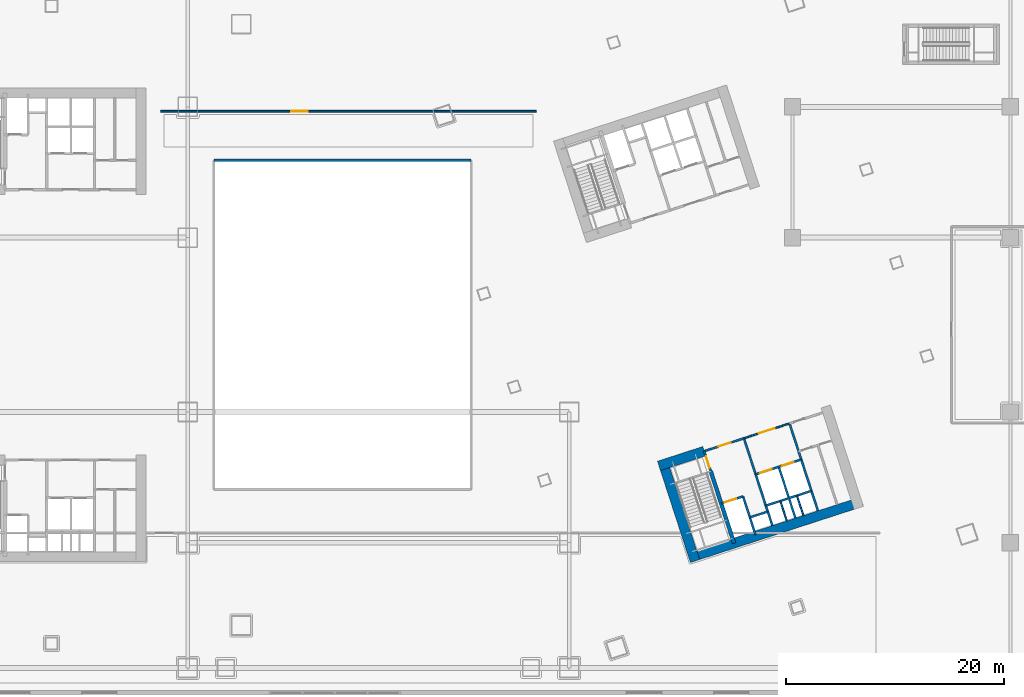
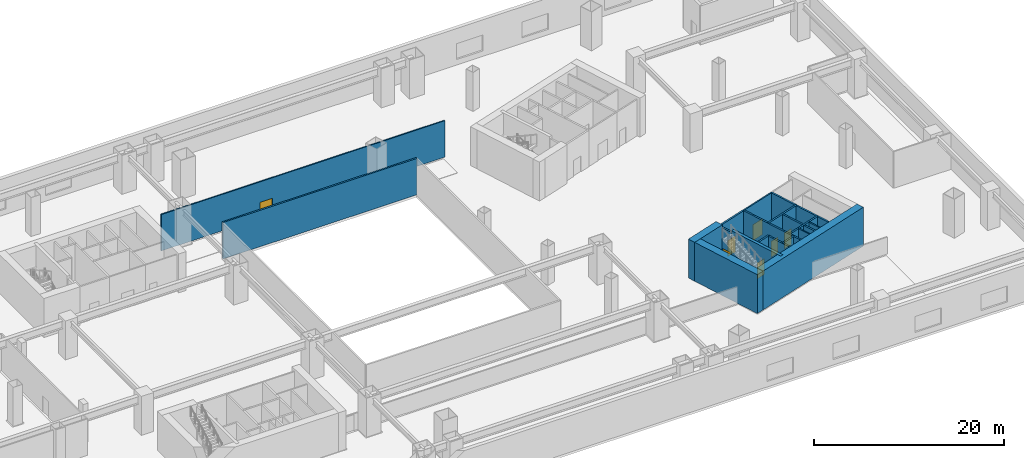
# One storey, part 26 of 35: 19 walls, 7 doors, 7 openings.
"""IFC4 building model written with IfcOpenShell, lengths in metres."""

from ifc_helpers import new_model, si_unit, direction, frame, frame_2d, origin, place, context, subcontext, project, spatial, rectangle, extrude, material, layer, layer_set, type_object, element, fill, save


model = new_model("IFC4")

# Units and contexts
model_context = context("Model", 3, precision=1e-05, world=origin(), true_north=direction((0.0, 1.0)))
body_context = subcontext(model_context, "Body", "Model", "MODEL_VIEW")
ifc_project = project(units=[si_unit("LENGTHUNIT", "METRE"), si_unit("AREAUNIT", "SQUARE_METRE"), si_unit("VOLUMEUNIT", "CUBIC_METRE"), si_unit("PLANEANGLEUNIT", "RADIAN"), si_unit("MASSUNIT", "GRAM", prefix="KILO")], contexts=[model_context])

# Site, building, storey
site_placement = place(None, origin())
site = spatial("IfcSite", under=ifc_project, at=site_placement, CompositionType="ELEMENT")
building_placement = place(site_placement, origin())
building = spatial("IfcBuilding", under=site, at=building_placement, Name="Qiaolan Cultural Towers", CompositionType="ELEMENT")
storey_placement = place(building_placement, frame((0.0, 0.0, 11.5)))
storey = spatial("IfcBuildingStorey", under=building, at=storey_placement, Name="L02", CompositionType="ELEMENT", Elevation=11.5)

# Walls
ifc_material_1 = material(Name="Concrete C50", Category="concrete")
ifc_layer_1 = layer(ifc_material_1, 0.35009765625)
ifc_layer_set_1 = layer_set([ifc_layer_1], Name="Concrete C50")
wall_type_1 = type_object("IfcWallType", Name="WL-CORE-350", PredefinedType="SHEAR", material=ifc_layer_set_1)
wall_1_placement = place(storey_placement, frame((90.486328125, 20.59423828125, 0.0), z_axis=(0.0, 0.0, 1.0), x_axis=(0.309020428229, -0.951055400562, 0.0)))
element("IfcWall", 1, at=wall_1_placement, inside=storey, type_object=wall_type_1, Name="L02 T2-CS Stair Core Dividing Web", PredefinedType="SHEAR", context=body_context, shape_type="SweptSolid", body=[
    extrude(rectangle(XDim=6.97998046875, YDim=0.35009765625, at=frame_2d((3.489990234375, 0.0))), origin(), (0.0, 0.0, 1.0), 5.0),
])
ifc_material_2 = material(Name="Concrete C60", Category="concrete")
ifc_layer_2 = layer(ifc_material_2, 0.89990234375)
ifc_layer_set_2 = layer_set([ifc_layer_2], Name="Concrete C60")
wall_type_2 = type_object("IfcWallType", Name="WL-CORE-900", PredefinedType="SHEAR", material=ifc_layer_set_2)
wall_2_placement = place(storey_placement, frame((88.4873046875, 12.60546875, 0.0), z_axis=(0.0, 0.0, 1.0), x_axis=(0.951055016115, 0.309021611416, 0.0)))
element("IfcWall", 2, at=wall_2_placement, inside=storey, type_object=wall_type_2, Name="L02 T2-CS Outer Core Shear Wall", PredefinedType="SHEAR", context=body_context, shape_type="SweptSolid", body=[
    extrude(rectangle(XDim=16.699951171875, YDim=0.89990234375, at=frame_2d((8.35009765625, 0.0))), origin(), (0.0, 0.0, 1.0), 5.0),
])
wall_3_placement = place(storey_placement, frame((86.031982421875, 21.617919921875, 0.0), z_axis=(0.0, 0.0, 1.0), x_axis=(0.30901438634, -0.951057363693, 0.0)))
element("IfcWall", 3, at=wall_3_placement, inside=storey, type_object=wall_type_2, Name="L02 T2-CS West Core Shear Wall", PredefinedType="SHEAR", context=body_context, shape_type="SweptSolid", body=[
    extrude(rectangle(XDim=9.7802734375, YDim=0.89990234375, at=frame_2d((4.89013671875, 0.0))), origin(), (0.0, 0.0, 1.0), 5.0),
])
wall_4_placement = place(storey_placement, frame((85.7431640625, 21.05078125, 0.0), z_axis=(0.0, 0.0, 1.0), x_axis=(0.951063623806, 0.308995118848, 0.0)))
element("IfcWall", 4, at=wall_4_placement, inside=storey, type_object=wall_type_2, Name="L02 T2-CS Stair Front Shear Wall", PredefinedType="SHEAR", context=body_context, shape_type="SweptSolid", body=[
    extrude(rectangle(XDim=4.3701171875, YDim=0.89990234375, at=frame_2d((2.18505859375, 0.0))), origin(), (0.0, 0.0, 1.0), 5.0),
])

# Wall, opening, door
ifc_material_3 = material(Name="Concrete C35 Fire Wall", Category="concrete")
ifc_layer_3 = layer(ifc_material_3, 0.199951171875)
ifc_layer_set_3 = layer_set([ifc_layer_3], Name="Concrete C35 Fire Wall")
wall_type_3 = type_object("IfcWallType", Name="WL-FIRE-200", PredefinedType="PARTITIONING", material=ifc_layer_set_3)
wall_5_placement = place(storey_placement, frame((89.8994140625, 22.401123046875, 0.0), z_axis=(0.0, 0.0, 1.0), x_axis=(0.308932062672, -0.951084108086, 0.0)))
wall_5 = element("IfcWall", 5, at=wall_5_placement, inside=storey, type_object=wall_type_3, Name="L02 T2-CS Smokeproof Stair Entry Wall", PredefinedType="PARTITIONING", context=body_context, shape_type="SweptSolid", body=[
    extrude(rectangle(XDim=1.89990234375, YDim=0.199951171875, at=frame_2d((0.949951171875, 0.0))), origin(), (0.0, 0.0, 1.0), 4.68505859375),
])
opening_1_placement = place(wall_5_placement, frame((0.52001953125, 0.0, 0.0)))
opening_1 = element("IfcOpeningElement", 6, at=opening_1_placement, cuts=wall_5, Name="Opening FD-04", PredefinedType="OPENING", context=body_context, shape_type="SweptSolid", body=[
    extrude(rectangle(XDim=1.10009765625, YDim=2.050048828125, at=frame_2d((0.550048828125, 1.02490234375))), frame((0.0, 0.10986328125, 0.0), z_axis=(0.0, -1.0, 0.0), x_axis=(1.0, 0.0, 0.0)), (0.0, 0.0, 1.0), 0.219970703125),
])
ifc_material_4 = material(Name="Galvanized Steel Command Fire Door", Category="steel")
door_type_1 = type_object("IfcDoorType", Name="DR-FD90-1100", OperationType="NOTDEFINED", PredefinedType="DOOR", material=ifc_material_4)
door_1_placement = place(opening_1_placement, origin())
door_1 = element("IfcDoor", 7, at=door_1_placement, inside=storey, type_object=door_type_1, Name="L02 ST-E1 Smokeproof Stair Fire Door", OperationType="SINGLE_SWING_LEFT", OverallHeight=2.050048828125, OverallWidth=1.10009765625, PredefinedType="DOOR", context=body_context, shape_type="SweptSolid", body=[
    extrude(rectangle(XDim=1.10009765625, YDim=2.050048828125, at=frame_2d((0.550048828125, 1.02490234375))), frame((0.0, 0.02490234375, 0.0), z_axis=(0.0, -1.0, 0.0), x_axis=(1.0, 0.0, 0.0)), (0.0, 0.0, 1.0), 0.050048828125),
])
fill(opening_1, door_1)

# Wall
wall_6_placement = place(storey_placement, frame((93.541748046875, 23.584716796875, 0.0), z_axis=(0.0, 0.0, 1.0), x_axis=(0.309042196757, -0.951048327176, 0.0)))
element("IfcWall", 8, at=wall_6_placement, inside=storey, type_object=wall_type_3, Name="L02 T2-CS Firefighting Zone Wall", PredefinedType="PARTITIONING", context=body_context, shape_type="SweptSolid", body=[
    extrude(rectangle(XDim=8.429931640625, YDim=0.199951171875, at=frame_2d((4.21484375, 0.0))), origin(), (0.0, 0.0, 1.0), 4.68505859375),
])

# Wall, opening, door
wall_7_placement = place(storey_placement, frame((89.8994140625, 22.401123046875, 0.0), z_axis=(0.0, 0.0, 1.0), x_axis=(0.951046716504, 0.309047153403, 0.0)))
wall_7 = element("IfcWall", 9, at=wall_7_placement, inside=storey, type_object=wall_type_3, Name="L02 T2-CS Firefighting Lobby Front Wall", PredefinedType="PARTITIONING", context=body_context, shape_type="SweptSolid", body=[
    extrude(rectangle(XDim=3.829833984375, YDim=0.199951171875, at=frame_2d((1.9150390625, 0.0))), origin(), (0.0, 0.0, 1.0), 4.68505859375),
])
opening_2_placement = place(wall_7_placement, frame((1.35009765625, 0.0, 0.0)))
opening_2 = element("IfcOpeningElement", 10, at=opening_2_placement, cuts=wall_7, Name="Opening FD-03", PredefinedType="OPENING", context=body_context, shape_type="SweptSolid", body=[
    extrude(rectangle(XDim=1.199951171875, YDim=2.050048828125, at=frame_2d((0.60009765625, 1.02490234375))), frame((0.0, 0.10986328125, 0.0), z_axis=(0.0, -1.0, 0.0), x_axis=(1.0, 0.0, 0.0)), (0.0, 0.0, 1.0), 0.219970703125),
])
ifc_material_5 = material(Name="Galvanized Steel Smokeproof Lobby Fire Door", Category="steel")
door_type_2 = type_object("IfcDoorType", Name="DR-FD90-1200", OperationType="NOTDEFINED", PredefinedType="DOOR", material=ifc_material_5)
door_2_placement = place(opening_2_placement, origin())
door_2 = element("IfcDoor", 11, at=door_2_placement, inside=storey, type_object=door_type_2, Name="L02 FFL-E1 Firefighting Lobby Fire Door", OperationType="SINGLE_SWING_LEFT", OverallHeight=2.050048828125, OverallWidth=1.199951171875, PredefinedType="DOOR", context=body_context, shape_type="SweptSolid", body=[
    extrude(rectangle(XDim=1.199951171875, YDim=2.050048828125, at=frame_2d((0.60009765625, 1.02490234375))), frame((0.0, 0.02490234375, 0.0), z_axis=(0.0, -1.0, 0.0), x_axis=(1.0, 0.0, 0.0)), (0.0, 0.0, 1.0), 0.050048828125),
])
fill(opening_2, door_2)

wall_8_placement = place(storey_placement, frame((91.459716796875, 17.598388671875, 0.0), z_axis=(0.0, 0.0, 1.0), x_axis=(0.951062257173, 0.308999325213, 0.0)))
wall_8 = element("IfcWall", 12, at=wall_8_placement, inside=storey, type_object=wall_type_3, Name="L02 T2-CS Firefighting Shaft Front Wall", PredefinedType="PARTITIONING", context=body_context, shape_type="SweptSolid", body=[
    extrude(rectangle(XDim=2.10009765625, YDim=0.199951171875, at=frame_2d((1.050048828125, 0.0))), origin(), (0.0, 0.0, 1.0), 4.68505859375),
])
opening_3_placement = place(wall_8_placement, frame((0.35009765625, 0.0, 0.0)))
opening_3 = element("IfcOpeningElement", 13, at=opening_3_placement, cuts=wall_8, Name="Opening LD-01", PredefinedType="OPENING", context=body_context, shape_type="SweptSolid", body=[
    extrude(rectangle(XDim=1.10009765625, YDim=2.050048828125, at=frame_2d((0.550048828125, 1.02490234375))), frame((0.0, 0.10986328125, 0.0), z_axis=(0.0, -1.0, 0.0), x_axis=(1.0, 0.0, 0.0)), (0.0, 0.0, 1.0), 0.219970703125),
])
ifc_material_6 = material(Name="Brushed Stainless Steel S30408 Centre-Parting Lift Landing Door", Category="steel")
door_type_3 = type_object("IfcDoorType", Name="DR-LIFT-1100", OperationType="NOTDEFINED", PredefinedType="DOOR", material=ifc_material_6)
door_3_placement = place(opening_3_placement, origin())
door_3 = element("IfcDoor", 14, at=door_3_placement, inside=storey, type_object=door_type_3, Name="L02 FFL-E1 Firefighting Lift Landing Door", OperationType="DOUBLE_DOOR_SLIDING", OverallHeight=2.050048828125, OverallWidth=1.10009765625, PredefinedType="DOOR", context=body_context, shape_type="SweptSolid", body=[
    extrude(rectangle(XDim=1.10009765625, YDim=2.050048828125, at=frame_2d((0.550048828125, 1.02490234375))), frame((0.0, 0.02490234375, 0.0), z_axis=(0.0, -1.0, 0.0), x_axis=(1.0, 0.0, 0.0)), (0.0, 0.0, 1.0), 0.050048828125),
])
fill(opening_3, door_3)

# Walls
wall_9_placement = place(storey_placement, frame((93.45703125, 18.247314453125, 0.0), z_axis=(0.0, 0.0, 1.0), x_axis=(0.3089935693, -0.951064127245, 0.0)))
element("IfcWall", 15, at=wall_9_placement, inside=storey, type_object=wall_type_3, Name="L02 T2-CS Firefighting Hoistway East Wall", PredefinedType="PARTITIONING", context=body_context, shape_type="SweptSolid", body=[
    extrude(rectangle(XDim=3.7001953125, YDim=0.199951171875, at=frame_2d((1.85009765625, 0.0))), origin(), (0.0, 0.0, 1.0), 4.68505859375),
])
wall_10_placement = place(storey_placement, frame((94.08447265625, 16.316650390625, 0.0), z_axis=(0.0, 0.0, 1.0), x_axis=(0.951041328149, 0.309063734775, 0.0)))
element("IfcWall", 16, at=wall_10_placement, inside=storey, type_object=wall_type_3, Name="L02 T2-CS Pressurization Shaft Front Wall", PredefinedType="PARTITIONING", context=body_context, shape_type="SweptSolid", body=[
    extrude(rectangle(XDim=1.72998046875, YDim=0.199951171875, at=frame_2d((0.864990234375, 0.0))), origin(), (0.0, 0.0, 1.0), 4.68505859375),
])
wall_11_placement = place(storey_placement, frame((97.7265625, 24.9443359375, 0.0), z_axis=(0.0, 0.0, 1.0), x_axis=(0.309016001439, -0.951056838919, 0.0)))
element("IfcWall", 17, at=wall_11_placement, inside=storey, type_object=wall_type_3, Name="L02 T2-CS Lift Core East Wall", PredefinedType="PARTITIONING", context=body_context, shape_type="SweptSolid", body=[
    extrude(rectangle(XDim=8.429931640625, YDim=0.199951171875, at=frame_2d((4.21484375, 0.0))), origin(), (0.0, 0.0, 1.0), 4.68505859375),
])

# Wall, openings, doors
wall_12_placement = place(storey_placement, frame((94.6171875, 20.275146484375, 0.0), z_axis=(0.0, 0.0, 1.0), x_axis=(0.951058531764, 0.30901079133, 0.0)))
wall_12 = element("IfcWall", 18, at=wall_12_placement, inside=storey, type_object=wall_type_3, Name="L02 T2-CS Passenger Lift Shaft Front Wall", PredefinedType="PARTITIONING", context=body_context, shape_type="SweptSolid", body=[
    extrude(rectangle(XDim=4.39990234375, YDim=0.199951171875, at=frame_2d((2.199951171875, 0.0))), origin(), (0.0, 0.0, 1.0), 4.68505859375),
])
opening_4_placement = place(wall_12_placement, frame((0.449951171875, 0.0, 0.0)))
opening_4 = element("IfcOpeningElement", 19, at=opening_4_placement, cuts=wall_12, Name="Opening LD-01", PredefinedType="OPENING", context=body_context, shape_type="SweptSolid", body=[
    extrude(rectangle(XDim=1.10009765625, YDim=2.050048828125, at=frame_2d((0.550048828125, 1.02490234375))), frame((0.0, 0.10986328125, 0.0), z_axis=(0.0, -1.0, 0.0), x_axis=(1.0, 0.0, 0.0)), (0.0, 0.0, 1.0), 0.219970703125),
])
opening_5_placement = place(wall_12_placement, frame((2.550048828125, 0.0, 0.0)))
opening_5 = element("IfcOpeningElement", 20, at=opening_5_placement, cuts=wall_12, Name="Opening LD-01", PredefinedType="OPENING", context=body_context, shape_type="SweptSolid", body=[
    extrude(rectangle(XDim=1.10009765625, YDim=2.050048828125, at=frame_2d((0.550048828125, 1.02490234375))), frame((0.0, 0.10986328125, 0.0), z_axis=(0.0, -1.0, 0.0), x_axis=(1.0, 0.0, 0.0)), (0.0, 0.0, 1.0), 0.219970703125),
])
door_4_placement = place(opening_4_placement, origin())
door_4 = element("IfcDoor", 21, at=door_4_placement, inside=storey, type_object=door_type_3, Name="L02 Passenger Lift 1 Landing Door", OperationType="DOUBLE_DOOR_SLIDING", OverallHeight=2.050048828125, OverallWidth=1.10009765625, PredefinedType="DOOR", context=body_context, shape_type="SweptSolid", body=[
    extrude(rectangle(XDim=1.10009765625, YDim=2.050048828125, at=frame_2d((0.550048828125, 1.02490234375))), frame((0.0, 0.02490234375, 0.0), z_axis=(0.0, -1.0, 0.0), x_axis=(1.0, 0.0, 0.0)), (0.0, 0.0, 1.0), 0.050048828125),
])
fill(opening_4, door_4)
door_5_placement = place(opening_5_placement, origin())
door_5 = element("IfcDoor", 22, at=door_5_placement, inside=storey, type_object=door_type_3, Name="L02 Passenger Lift 2 Landing Door", OperationType="DOUBLE_DOOR_SLIDING", OverallHeight=2.050048828125, OverallWidth=1.10009765625, PredefinedType="DOOR", context=body_context, shape_type="SweptSolid", body=[
    extrude(rectangle(XDim=1.10009765625, YDim=2.050048828125, at=frame_2d((0.550048828125, 1.02490234375))), frame((0.0, 0.02490234375, 0.0), z_axis=(0.0, -1.0, 0.0), x_axis=(1.0, 0.0, 0.0)), (0.0, 0.0, 1.0), 0.050048828125),
])
fill(opening_5, door_5)

# Walls
wall_13_placement = place(storey_placement, frame((96.738037109375, 20.964111328125, 0.0), z_axis=(0.0, 0.0, 1.0), x_axis=(0.309042578481, -0.951048203135, 0.0)))
element("IfcWall", 23, at=wall_13_placement, inside=storey, type_object=wall_type_3, Name="L02 T2-CS Lift Shaft Divider Wall", PredefinedType="PARTITIONING", context=body_context, shape_type="SweptSolid", body=[
    extrude(rectangle(XDim=4.9501953125, YDim=0.199951171875, at=frame_2d((2.47509765625, 0.0))), origin(), (0.0, 0.0, 1.0), 4.68505859375),
])
wall_14_placement = place(storey_placement, frame((95.550537109375, 17.40283203125, 0.0), z_axis=(0.0, 0.0, 1.0), x_axis=(0.951058531764, 0.30901079133, 0.0)))
element("IfcWall", 24, at=wall_14_placement, inside=storey, type_object=wall_type_3, Name="L02 T2-CS Passenger Lift Shaft Back Wall", PredefinedType="PARTITIONING", context=body_context, shape_type="SweptSolid", body=[
    extrude(rectangle(XDim=4.39990234375, YDim=0.199951171875, at=frame_2d((2.199951171875, 0.0))), origin(), (0.0, 0.0, 1.0), 4.68505859375),
])
wall_15_placement = place(storey_placement, frame((44.89990234375, 49.10009765625, 0.0), z_axis=(0.0, 0.0, 1.0), x_axis=(1.0, 0.0, 0.0)))
element("IfcWall", 25, at=wall_15_placement, inside=storey, type_object=wall_type_3, Name="L02 Podium Partition L02-AUDN", PredefinedType="PARTITIONING", context=body_context, shape_type="SweptSolid", body=[
    extrude(rectangle(XDim=23.60009765625, YDim=0.199951171875, at=frame_2d((11.800048828125, 0.0))), origin(), (0.0, 0.0, 1.0), 4.68505859375),
])

# Wall, opening, door
ifc_material_7 = material(Name="Autoclaved Aerated Concrete Block B06", Category="concrete")
ifc_layer_4 = layer(ifc_material_7, 0.14990234375)
ifc_layer_set_4 = layer_set([ifc_layer_4], Name="Autoclaved Aerated Concrete Block B06")
wall_type_4 = type_object("IfcWallType", Name="WL-PART-150", PredefinedType="PARTITIONING", material=ifc_layer_set_4)
wall_16_placement = place(storey_placement, frame((93.541748046875, 23.584716796875, 0.0), z_axis=(0.0, 0.0, 1.0), x_axis=(0.951063829732, 0.308994485023, 0.0)))
wall_16 = element("IfcWall", 26, at=wall_16_placement, inside=storey, type_object=wall_type_4, Name="L02 T2-CS Passenger Lift Lobby Front Wall", PredefinedType="PARTITIONING", context=body_context, shape_type="SweptSolid", body=[
    extrude(rectangle(XDim=4.400146484375, YDim=0.14990234375, at=frame_2d((2.2001953125, 0.0))), origin(), (0.0, 0.0, 1.0), 4.68505859375),
])
opening_6_placement = place(wall_16_placement, frame((1.449951171875, 0.0, 0.0)))
opening_6 = element("IfcOpeningElement", 27, at=opening_6_placement, cuts=wall_16, Name="Opening FD-05", PredefinedType="OPENING", context=body_context, shape_type="SweptSolid", body=[
    extrude(rectangle(XDim=1.5, YDim=2.050048828125, at=frame_2d((0.75, 1.02490234375))), frame((0.0, 0.0849609375, 0.0), z_axis=(0.0, -1.0, 0.0), x_axis=(1.0, 0.0, 0.0)), (0.0, 0.0, 1.0), 0.169921875),
])
ifc_material_8 = material(Name="Painted Steel Lift Lobby Fire Door", Category="steel")
door_type_4 = type_object("IfcDoorType", Name="DR-FD60-1500", OperationType="NOTDEFINED", PredefinedType="DOOR", material=ifc_material_8)
door_6_placement = place(opening_6_placement, origin())
door_6 = element("IfcDoor", 28, at=door_6_placement, inside=storey, type_object=door_type_4, Name="L02 Passenger Lift Lobby Entrance", OperationType="SINGLE_SWING_LEFT", OverallHeight=2.050048828125, OverallWidth=1.5, PredefinedType="DOOR", context=body_context, shape_type="SweptSolid", body=[
    extrude(rectangle(XDim=1.5, YDim=2.050048828125, at=frame_2d((0.75, 1.02490234375))), frame((0.0, 0.02490234375, 0.0), z_axis=(0.0, -1.0, 0.0), x_axis=(1.0, 0.0, 0.0)), (0.0, 0.0, 1.0), 0.050048828125),
])
fill(opening_6, door_6)

# Walls
wall_17_placement = place(storey_placement, frame((96.8974609375, 17.787841796875, 0.0), z_axis=(0.0, 0.0, 1.0), x_axis=(0.30897153969, -0.951071284217, 0.0)))
element("IfcWall", 29, at=wall_17_placement, inside=storey, type_object=wall_type_4, Name="L02 T2-CS Core Rear Split 1", PredefinedType="PARTITIONING", context=body_context, shape_type="SweptSolid", body=[
    extrude(rectangle(XDim=1.8798828125, YDim=0.14990234375, at=frame_2d((0.93994140625, 0.0))), origin(), (0.0, 0.0, 1.0), 4.68505859375),
])
wall_18_placement = place(storey_placement, frame((98.419189453125, 18.282470703125, 0.0), z_axis=(0.0, 0.0, 1.0), x_axis=(0.308933380006, -0.951083680187, 0.0)))
element("IfcWall", 30, at=wall_18_placement, inside=storey, type_object=wall_type_4, Name="L02 T2-CS Core Rear Split 2", PredefinedType="PARTITIONING", context=body_context, shape_type="SweptSolid", body=[
    extrude(rectangle(XDim=1.880126953125, YDim=0.14990234375, at=frame_2d((0.93994140625, 0.0))), origin(), (0.0, 0.0, 1.0), 4.68505859375),
])

# Wall, opening, door
wall_19_placement = place(storey_placement, frame((40.0, 53.60009765625, 0.0), z_axis=(0.0, 0.0, 1.0), x_axis=(1.0, 0.0, 0.0)))
wall_19 = element("IfcWall", 31, at=wall_19_placement, inside=storey, type_object=wall_type_4, Name="L02 Podium Partition L02-NGW", PredefinedType="PARTITIONING", context=body_context, shape_type="SweptSolid", body=[
    extrude(rectangle(XDim=34.5, YDim=0.14990234375, at=frame_2d((17.25, 0.0))), origin(), (0.0, 0.0, 1.0), 4.68505859375),
])
opening_7_placement = place(wall_19_placement, frame((12.0, 0.0, 0.0)))
opening_7 = element("IfcOpeningElement", 32, at=opening_7_placement, cuts=wall_19, Name="Opening ID-01", PredefinedType="OPENING", context=body_context, shape_type="SweptSolid", body=[
    extrude(rectangle(XDim=1.5, YDim=2.050048828125, at=frame_2d((0.75, 1.02490234375))), frame((0.0, 0.0849609375, 0.0), z_axis=(0.0, -1.0, 0.0), x_axis=(1.0, 0.0, 0.0)), (0.0, 0.0, 1.0), 0.169921875),
])
ifc_material_9 = material(Name="Oak Veneer Solid-Core Double Leaf Door", Category="timber")
door_type_5 = type_object("IfcDoorType", Name="DR-INT-1500", OperationType="NOTDEFINED", PredefinedType="DOOR", material=ifc_material_9)
door_7_placement = place(opening_7_placement, origin())
door_7 = element("IfcDoor", 33, at=door_7_placement, inside=storey, type_object=door_type_5, Name="L02 North Gallery Entrance", OperationType="SINGLE_SWING_RIGHT", OverallHeight=2.050048828125, OverallWidth=1.5, PredefinedType="DOOR", context=body_context, shape_type="SweptSolid", body=[
    extrude(rectangle(XDim=1.5, YDim=2.050048828125, at=frame_2d((0.75, 1.02490234375))), frame((0.0, 0.02490234375, 0.0), z_axis=(0.0, -1.0, 0.0), x_axis=(1.0, 0.0, 0.0)), (0.0, 0.0, 1.0), 0.050048828125),
])
fill(opening_7, door_7)

save(model, "model.ifc")
